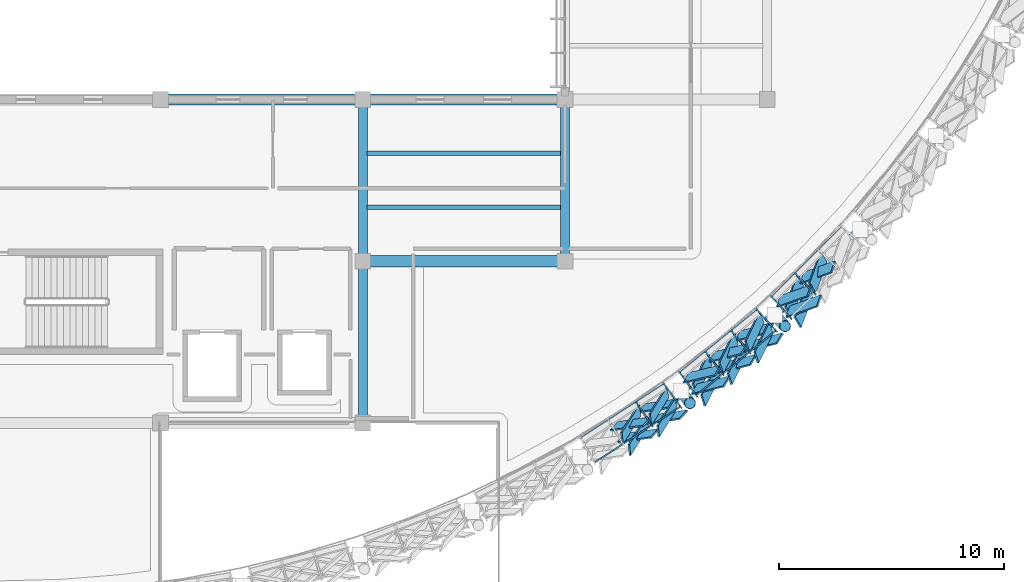
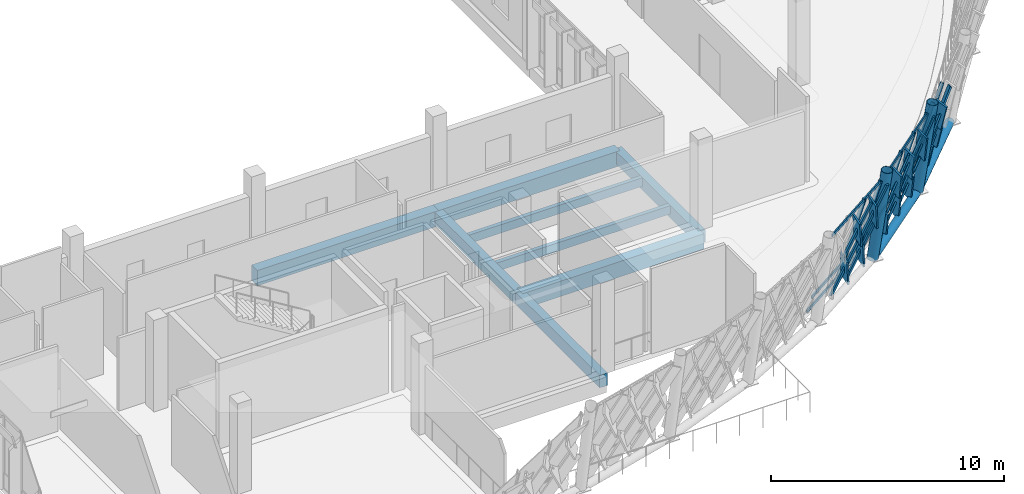
# One storey, part 86 of 177: 44 members, 10 beams, 3 elements without a shape of their own.
"""IFC4 building model written with IfcOpenShell, lengths in metres."""

from ifc_helpers import new_model, si_unit, direction, frame, origin, origin_2d, place, context, subcontext, project, spatial, rectangle, hollow_rectangle, hollow_circle, extrude, material, material_profile, profile_set, type_object, element, aggregate, save


model = new_model("IFC4")

# Units and contexts
model_context = context("Model", 3, precision=1e-05, world=origin(), true_north=direction((0.0, 1.0)))
body_context = subcontext(model_context, "Body", "Model", "MODEL_VIEW")
ifc_project = project(units=[si_unit("LENGTHUNIT", "METRE"), si_unit("AREAUNIT", "SQUARE_METRE"), si_unit("VOLUMEUNIT", "CUBIC_METRE"), si_unit("PLANEANGLEUNIT", "RADIAN"), si_unit("MASSUNIT", "GRAM", prefix="KILO")], contexts=[model_context])

# Site, building, storey
site_placement = place(None, origin())
site = spatial("IfcSite", under=ifc_project, at=site_placement, CompositionType="ELEMENT")
building_placement = place(site_placement, origin())
building = spatial("IfcBuilding", under=site, at=building_placement, Name="Chiffa Square Polytechnic", CompositionType="ELEMENT")
storey_placement = place(building_placement, frame((0.0, 0.0, 4.800048828125)))
storey = spatial("IfcBuildingStorey", under=building, at=storey_placement, Name="L01", CompositionType="ELEMENT", Elevation=4.800048828125)

# Beams
ifc_material_1 = material(Name="Concrete C35/45", Category="concrete")
ifc_material_profile_1 = material_profile(ifc_material_1, rectangle(XDim=0.39990234375, YDim=0.64990234375, at=origin_2d()), Name="RC 400x650")
ifc_profile_set_1 = profile_set([ifc_material_profile_1], Name="Concrete C35/45")
beam_type_1 = type_object("IfcBeamType", Name="BM-RC-400X650", PredefinedType="BEAM", material=ifc_profile_set_1)
beam_1_placement = place(storey_placement, frame((139.199951171875, 14.39990234375, -0.60498046875), z_axis=(0.0, 1.0, 0.0), x_axis=(-1.0, 0.0, 0.0)))
element("IfcBeam", 1, at=beam_1_placement, inside=storey, type_object=beam_type_1, Name="Primary floor girder BM-V1-L01-Y-1392-0144", PredefinedType="BEAM", context=body_context, shape_type="SweptSolid", body=[
    extrude(rectangle(XDim=0.39990234375, YDim=0.64990234375, at=origin_2d()), origin(), (0.0, 0.0, 1.0), 7.2001953125),
])
for number, where, z_axis, x_axis, name in (
    (2, (139.199951171875, 21.60009765625, -0.60498046875), (0.0, 1.0, 0.0), (-1.0, 0.0, 0.0), "Primary floor girder BM-V1-L01-Y-1392-0216"),
    (3, (148.199951171875, 21.60009765625, -0.60498046875), (0.0, 1.0, 0.0), (-1.0, 0.0, 0.0), "Primary floor girder BM-V1-L01-Y-1482-0216"),
):
    element("IfcBeam", number, at=place(storey_placement, frame(where, z_axis=z_axis, x_axis=x_axis)), inside=storey, type_object=beam_type_1, Name=name, PredefinedType="BEAM", context=body_context, shape_type="SweptSolid", body=[
        extrude(rectangle(XDim=0.39990234375, YDim=0.64990234375, at=origin_2d()), origin(), (0.0, 0.0, 1.0), 7.199951171875),
    ])
ifc_material_2 = material(Name="Concrete C40/50", Category="concrete")
ifc_material_profile_2 = material_profile(ifc_material_2, rectangle(XDim=0.5, YDim=0.800048828125, at=origin_2d()), Name="RC 500x800")
ifc_profile_set_2 = profile_set([ifc_material_profile_2], Name="Concrete C40/50")
beam_type_2 = type_object("IfcBeamType", Name="BM-RC-500X800", PredefinedType="BEAM", material=ifc_profile_set_2)
for number, where, z_axis, x_axis, name in (
    (4, (139.199951171875, 21.60009765625, -0.679931640625), (1.0, 0.0, 0.0), (0.0, 1.0, 0.0), "Primary floor girder BM-V1-L01-X-1392-0216"),
    (5, (130.199951171875, 28.800048828125, -0.679931640625), (1.0, 0.0, 0.0), (0.0, 1.0, 0.0), "Primary floor girder BM-V1-L01-X-1302-0288"),
    (6, (139.199951171875, 28.800048828125, -0.679931640625), (1.0, 0.0, 0.0), (0.0, 1.0, 0.0), "Primary floor girder BM-V1-L01-X-1392-0288"),
):
    element("IfcBeam", number, at=place(storey_placement, frame(where, z_axis=z_axis, x_axis=x_axis)), inside=storey, type_object=beam_type_2, Name=name, PredefinedType="BEAM", context=body_context, shape_type="SweptSolid", body=[
        extrude(rectangle(XDim=0.5, YDim=0.800048828125, at=origin_2d()), origin(), (0.0, 0.0, 1.0), 9.0),
    ])
ifc_material_3 = material(Name="Steel S355", Category="steel")
ifc_material_profile_3 = material_profile(ifc_material_3, hollow_circle(Radius=0.203125, WallThickness=0.012451171875, at=origin_2d()), Name="CHS 406.4x12.5")
ifc_profile_set_3 = profile_set([ifc_material_profile_3], Name="Steel S355")
beam_type_3 = type_object("IfcBeamType", Name="BM-STL-CHS406", PredefinedType="BEAM", material=ifc_profile_set_3)
beam_2_placement = place(storey_placement, frame((153.365966796875, 15.8310546875, 0.0), z_axis=(0.777165471758, 0.629296297071, 0.0), x_axis=(-0.629296297071, 0.777165471758, 0.0)))
element("IfcBeam", 7, at=beam_2_placement, inside=storey, type_object=beam_type_3, Name="Prow V-column ring tie BM-V1-VRING-L01-09", PredefinedType="BEAM", context=body_context, shape_type="SweptSolid", body=[
    extrude(hollow_circle(Radius=0.203125, WallThickness=0.012451171875, at=origin_2d()), origin(), (0.0, 0.0, 1.0), 5.370849609375),
])
beam_3_placement = place(storey_placement, frame((157.5400390625, 19.2109375, 0.0), z_axis=(0.707106781187, 0.707106781187, 0.0), x_axis=(-0.707106781187, 0.707106781187, 0.0)))
element("IfcBeam", 8, at=beam_3_placement, inside=storey, type_object=beam_type_3, Name="Prow V-column ring tie BM-V1-VRING-L01-10", PredefinedType="BEAM", context=body_context, shape_type="SweptSolid", body=[
    extrude(hollow_circle(Radius=0.203125, WallThickness=0.012451171875, at=origin_2d()), origin(), (0.0, 0.0, 1.0), 5.372802734375),
])

# Members
ifc_material_profile_4 = material_profile(ifc_material_3, hollow_circle(Radius=0.25390625, WallThickness=0.01611328125, at=origin_2d()), Name="CHS 508x16")
ifc_profile_set_4 = profile_set([ifc_material_profile_4], Name="Steel S355")
member_type_1 = type_object("IfcMemberType", Name="COL-VSTRUT-508", PredefinedType="STRUT", material=ifc_profile_set_4)
for number, where, z_axis, x_axis, name in (
    (9, (153.365966796875, 15.8310546875, 0.0), (0.082288316187, -0.113461185049, 0.990128876716), (0.809512252688, 0.587102983086, 0.0), "Prow steel V-strut CV-V1-L01-05L"),
    (10, (157.5400390625, 19.2109375, 0.0), (0.093870513292, -0.104143895648, 0.99012240442), (0.742793858275, 0.669520189471, 0.0), "Prow steel V-strut CV-V1-L01-05R"),
):
    element("IfcMember", number, at=place(storey_placement, frame(where, z_axis=z_axis, x_axis=x_axis)), inside=storey, type_object=member_type_1, Name=name, PredefinedType="STRUT", context=body_context, shape_type="SweptSolid", body=[
        extrude(hollow_circle(Radius=0.25390625, WallThickness=0.01611328125, at=origin_2d()), origin(), (0.0, 0.0, 1.0), 4.847900390625),
    ])

# Curtain wall, members
ifc_material_4 = material(Name="Aluminium EN AW-6060 T66 and glulam shading", Category="wood")
curtain_wall_type_1 = type_object("IfcCurtainWallType", Name="CW-PROW-LEAN-300", PredefinedType="USERDEFINED", material=ifc_material_4)
curtain_wall_1_placement = place(storey_placement, origin())
curtain_wall_1 = element("IfcCurtainWall", 11, at=curtain_wall_1_placement, inside=storey, type_object=curtain_wall_type_1, Name="Outward-leaning diamond-fin prow curtain wall CW-V1-L01-017", ObjectType="CURTAIN WALL", PredefinedType="USERDEFINED")
ifc_material_5 = material(Name="Aluminium EN AW-6060 T66", Category="aluminium")
ifc_material_profile_5 = material_profile(ifc_material_5, hollow_rectangle(XDim=0.06494140625, YDim=0.179931640625, WallThickness=0.00390625, at=origin_2d()), Name="ALU 65x180x4")
ifc_profile_set_5 = profile_set([ifc_material_profile_5], Name="Aluminium EN AW-6060 T66")
member_type_2 = type_object("IfcMemberType", Name="CWM-ALU-75X180", PredefinedType="MULLION", material=ifc_profile_set_5)
member_1_placement = place(storey_placement, frame((151.364013671875, 15.339599609375, 0.0), z_axis=(0.152233862193, -0.22549280311, 0.962277427225), x_axis=(0.82880398171, 0.55953906021, 0.0)))
member_1 = element("IfcMember", 12, at=member_1_placement, type_object=member_type_2, Name="Leaning prow mullion CW-V1-L01-017-M02", PredefinedType="MULLION", context=body_context, shape_type="SweptSolid", body=[
    extrude(hollow_rectangle(XDim=0.06494140625, YDim=0.179931640625, WallThickness=0.00390625, at=origin_2d()), origin(), (0.0, 0.0, 1.0), 4.655517578125),
])
member_2_placement = place(storey_placement, frame((152.60498046875, 16.14599609375, 0.0), z_axis=(0.160239909146, -0.220329875075, 0.962173538228), x_axis=(0.808736084303, 0.588171697675, 0.0)))
member_2 = element("IfcMember", 13, at=member_2_placement, type_object=member_type_2, Name="Leaning prow mullion CW-V1-L01-017-M03", PredefinedType="MULLION", context=body_context, shape_type="SweptSolid", body=[
    extrude(hollow_rectangle(XDim=0.06494140625, YDim=0.179931640625, WallThickness=0.00390625, at=origin_2d()), origin(), (0.0, 0.0, 1.0), 4.656005859375),
])

curtain_wall_type_2 = type_object("IfcCurtainWallType", Name="CW-PROW-LEAN-150", PredefinedType="USERDEFINED", material=ifc_material_4)
curtain_wall_2_placement = place(storey_placement, origin())
curtain_wall_2 = element("IfcCurtainWall", 14, at=curtain_wall_2_placement, inside=storey, type_object=curtain_wall_type_2, Name="Outward-leaning diamond-fin prow curtain wall CW-V1-L01-018", ObjectType="CURTAIN WALL", PredefinedType="USERDEFINED")
member_3_placement = place(storey_placement, frame((153.300048828125, 16.65087890625, 0.0), z_axis=(0.160188820329, -0.22033172603, 0.962181621289), x_axis=(0.808827635578, 0.588045794072, 0.0)))
member_3 = element("IfcMember", 15, at=member_3_placement, type_object=member_type_2, Name="Leaning prow mullion CW-V1-L01-018-M00", PredefinedType="MULLION", context=body_context, shape_type="SweptSolid", body=[
    extrude(hollow_rectangle(XDim=0.06494140625, YDim=0.179931640625, WallThickness=0.00390625, at=origin_2d()), origin(), (0.0, 0.0, 1.0), 4.656005859375),
])
member_4_placement = place(storey_placement, frame((154.45068359375, 17.582275390625, 0.0), z_axis=(0.167545853049, -0.214374787877, 0.962274304681), x_axis=(0.787907478587, 0.615793638475, 0.0)))
member_4 = element("IfcMember", 16, at=member_4_placement, type_object=member_type_2, Name="Leaning prow mullion CW-V1-L01-018-M01", PredefinedType="MULLION", context=body_context, shape_type="SweptSolid", body=[
    extrude(hollow_rectangle(XDim=0.06494140625, YDim=0.179931640625, WallThickness=0.00390625, at=origin_2d()), origin(), (0.0, 0.0, 1.0), 4.655517578125),
])
member_5_placement = place(storey_placement, frame((155.601318359375, 18.513671875, 0.0), z_axis=(0.174839699387, -0.208349767746, 0.962300085108), x_axis=(0.766020027639, 0.642816705801, 0.0)))
member_5 = element("IfcMember", 17, at=member_5_placement, type_object=member_type_2, Name="Leaning prow mullion CW-V1-L01-018-M02", PredefinedType="MULLION", context=body_context, shape_type="SweptSolid", body=[
    extrude(hollow_rectangle(XDim=0.06494140625, YDim=0.179931640625, WallThickness=0.00390625, at=origin_2d()), origin(), (0.0, 0.0, 1.0), 4.655517578125),
])
member_6_placement = place(storey_placement, frame((156.751953125, 19.445068359375, 0.0), z_axis=(0.182166401605, -0.202354675818, 0.962220342386), x_axis=(0.743207953029, 0.669060489459, 0.0)))
member_6 = element("IfcMember", 18, at=member_6_placement, type_object=member_type_2, Name="Leaning prow mullion CW-V1-L01-018-M03", PredefinedType="MULLION", context=body_context, shape_type="SweptSolid", body=[
    extrude(hollow_rectangle(XDim=0.06494140625, YDim=0.179931640625, WallThickness=0.00390625, at=origin_2d()), origin(), (0.0, 0.0, 1.0), 4.65576171875),
])

curtain_wall_3_placement = place(storey_placement, origin())
curtain_wall_3 = element("IfcCurtainWall", 19, at=curtain_wall_3_placement, inside=storey, type_object=curtain_wall_type_1, Name="Outward-leaning diamond-fin prow curtain wall CW-V1-L01-019", ObjectType="CURTAIN WALL", PredefinedType="USERDEFINED")
member_7_placement = place(storey_placement, frame((157.389892578125, 20.02001953125, 0.0), z_axis=(0.182166401605, -0.202354675818, 0.962220342386), x_axis=(0.743207953029, 0.669060489459, 0.0)))
member_7 = element("IfcMember", 20, at=member_7_placement, type_object=member_type_2, Name="Leaning prow mullion CW-V1-L01-019-M00", PredefinedType="MULLION", context=body_context, shape_type="SweptSolid", body=[
    extrude(hollow_rectangle(XDim=0.06494140625, YDim=0.179931640625, WallThickness=0.00390625, at=origin_2d()), origin(), (0.0, 0.0, 1.0), 4.65576171875),
])
member_8_placement = place(storey_placement, frame((158.436767578125, 21.066650390625, 0.0), z_axis=(0.18884680027, -0.195611931409, 0.962326793931), x_axis=(0.719438017577, 0.69455664914, 0.0)))
member_8 = element("IfcMember", 21, at=member_8_placement, type_object=member_type_2, Name="Leaning prow mullion CW-V1-L01-019-M01", PredefinedType="MULLION", context=body_context, shape_type="SweptSolid", body=[
    extrude(hollow_rectangle(XDim=0.06494140625, YDim=0.179931640625, WallThickness=0.00390625, at=origin_2d()), origin(), (0.0, 0.0, 1.0), 4.6552734375),
])

# Member
ifc_material_6 = material(Name="Glulam GL28h", Category="wood")
ifc_material_profile_6 = material_profile(ifc_material_6, rectangle(XDim=0.080078125, YDim=0.580078125, at=origin_2d()), Name="GL28h 80x580")
ifc_profile_set_6 = profile_set([ifc_material_profile_6], Name="Glulam GL28h")
member_type_3 = type_object("IfcMemberType", Name="CWM-GL-80X580", PredefinedType="MULLION", material=ifc_profile_set_6)
member_9_placement = place(storey_placement, frame((150.402099609375, 14.25390625, 0.0400390625), z_axis=(0.548970104616, 0.076114986741, 0.832369108648), x_axis=(-0.56422530594, 0.768463351959, 0.301850759204)))
member_9 = element("IfcMember", 22, at=member_9_placement, type_object=member_type_3, Name="Diamond glulam fin CW-V1-L01-017-DF03A", PredefinedType="MULLION", context=body_context, shape_type="SweptSolid", body=[
    extrude(rectangle(XDim=0.080078125, YDim=0.580078125, at=origin_2d()), origin(), (0.0, 0.0, 1.0), 2.64306640625),
])

member_10_placement = place(storey_placement, frame((151.506103515625, 14.970947265625, 0.0400390625), z_axis=(-0.292893333485, -0.470605971021, 0.832312150121), x_axis=(0.951556738089, -0.058290371453, 0.301897344793)))
member_10 = element("IfcMember", 23, at=member_10_placement, type_object=member_type_3, Name="Diamond glulam fin CW-V1-L01-017-DF03B", PredefinedType="MULLION", context=body_context, shape_type="SweptSolid", body=[
    extrude(rectangle(XDim=0.080078125, YDim=0.580078125, at=origin_2d()), origin(), (0.0, 0.0, 1.0), 2.64306640625),
])

member_11_placement = place(storey_placement, frame((150.73193359375, 13.72705078125, 2.239990234375), z_axis=(0.553289045785, 0.079869431522, 0.829151437147), x_axis=(-0.566778771296, 0.765546917697, 0.304466321967)))
member_11 = element("IfcMember", 24, at=member_11_placement, type_object=member_type_3, Name="Diamond glulam fin CW-V1-L01-017-DF04A", PredefinedType="MULLION", context=body_context, shape_type="SweptSolid", body=[
    extrude(rectangle(XDim=0.080078125, YDim=0.580078125, at=origin_2d()), origin(), (0.0, 0.0, 1.0), 2.6533203125),
])

member_12_placement = place(storey_placement, frame((151.85302734375, 14.455078125, 2.239990234375), z_axis=(-0.297772179307, -0.473067606247, 0.829179575937), x_axis=(0.95033928481, -0.064570460629, 0.304443589785)))
member_12 = element("IfcMember", 25, at=member_12_placement, type_object=member_type_3, Name="Diamond glulam fin CW-V1-L01-017-DF04B", PredefinedType="MULLION", context=body_context, shape_type="SweptSolid", body=[
    extrude(rectangle(XDim=0.080078125, YDim=0.580078125, at=origin_2d()), origin(), (0.0, 0.0, 1.0), 2.653076171875),
])

member_13_placement = place(storey_placement, frame((151.64306640625, 15.06005859375, 0.0400390625), z_axis=(0.553766828448, 0.080567969062, 0.82876480504), x_axis=(-0.567422472221, 0.764945654814, 0.30477841656)))
member_13 = element("IfcMember", 26, at=member_13_placement, type_object=member_type_3, Name="Diamond glulam fin CW-V1-L01-017-DF05A", PredefinedType="MULLION", context=body_context, shape_type="SweptSolid", body=[
    extrude(rectangle(XDim=0.080078125, YDim=0.580078125, at=origin_2d()), origin(), (0.0, 0.0, 1.0), 2.654541015625),
])

member_14_placement = place(storey_placement, frame((152.748046875, 15.778076171875, 0.0400390625), z_axis=(-0.287175488948, -0.468364027987, 0.835562909561), x_axis=(0.952850330572, -0.050423569329, 0.299221842759)))
member_14 = element("IfcMember", 27, at=member_14_placement, type_object=member_type_3, Name="Diamond glulam fin CW-V1-L01-017-DF05B", PredefinedType="MULLION", context=body_context, shape_type="SweptSolid", body=[
    extrude(rectangle(XDim=0.080078125, YDim=0.580078125, at=origin_2d()), origin(), (0.0, 0.0, 1.0), 2.6328125),
])

member_15_placement = place(storey_placement, frame((151.991943359375, 14.544921875, 2.239990234375), z_axis=(0.557777835321, 0.084120264962, 0.825716457052), x_axis=(-0.569756989425, 0.762227687324, 0.307222925054)))
member_15 = element("IfcMember", 28, at=member_15_placement, type_object=member_type_3, Name="Diamond glulam fin CW-V1-L01-017-DF06A", PredefinedType="MULLION", context=body_context, shape_type="SweptSolid", body=[
    extrude(rectangle(XDim=0.080078125, YDim=0.580078125, at=origin_2d()), origin(), (0.0, 0.0, 1.0), 2.664306640625),
])

member_16_placement = place(storey_placement, frame((153.113037109375, 15.27392578125, 2.239990234375), z_axis=(-0.292133073941, -0.470720433816, 0.83251458864), x_axis=(0.95168838169, -0.056984117719, 0.301731726015)))
member_16 = element("IfcMember", 29, at=member_16_placement, type_object=member_type_3, Name="Diamond glulam fin CW-V1-L01-017-DF06B", PredefinedType="MULLION", context=body_context, shape_type="SweptSolid", body=[
    extrude(rectangle(XDim=0.080078125, YDim=0.580078125, at=origin_2d()), origin(), (0.0, 0.0, 1.0), 2.642578125),
])

member_17_placement = place(storey_placement, frame((153.60595703125, 16.402099609375, 0.0400390625), z_axis=(0.53406633829, 0.128346555338, 0.835643648955), x_axis=(-0.692922431097, 0.632749638513, 0.345668048051)))
member_17 = element("IfcMember", 30, at=member_17_placement, type_object=member_type_3, Name="Diamond glulam fin CW-V1-L01-018-DF01A", PredefinedType="MULLION", context=body_context, shape_type="SweptSolid", body=[
    extrude(rectangle(XDim=0.080078125, YDim=0.580078125, at=origin_2d()), origin(), (0.0, 0.0, 1.0), 2.632568359375),
])

member_18_placement = place(storey_placement, frame((154.6298828125, 17.23095703125, 0.0400390625), z_axis=(-0.247509066244, -0.501824401867, 0.828801261955), x_axis=(0.927697931071, 0.124014882145, 0.352131875429)))
member_18 = element("IfcMember", 31, at=member_18_placement, type_object=member_type_3, Name="Diamond glulam fin CW-V1-L01-018-DF01B", PredefinedType="MULLION", context=body_context, shape_type="SweptSolid", body=[
    extrude(rectangle(XDim=0.080078125, YDim=0.580078125, at=origin_2d()), origin(), (0.0, 0.0, 1.0), 2.654296875),
])

member_19_placement = place(storey_placement, frame((153.972900390625, 15.89892578125, 2.239990234375), z_axis=(0.538095956424, 0.132468601118, 0.832409040916), x_axis=(-0.69443643072, 0.629392396951, 0.348745257099)))
member_19 = element("IfcMember", 32, at=member_19_placement, type_object=member_type_3, Name="Diamond glulam fin CW-V1-L01-018-DF02A", PredefinedType="MULLION", context=body_context, shape_type="SweptSolid", body=[
    extrude(rectangle(XDim=0.080078125, YDim=0.580078125, at=origin_2d()), origin(), (0.0, 0.0, 1.0), 2.642822265625),
])

member_20_placement = place(storey_placement, frame((155.011962890625, 16.739990234375, 2.239990234375), z_axis=(-0.252147577595, -0.504753272155, 0.825618394515), x_axis=(0.927420436057, 0.117511652159, 0.355080760379)))
member_20 = element("IfcMember", 33, at=member_20_placement, type_object=member_type_3, Name="Diamond glulam fin CW-V1-L01-018-DF02B", PredefinedType="MULLION", context=body_context, shape_type="SweptSolid", body=[
    extrude(rectangle(XDim=0.080078125, YDim=0.580078125, at=origin_2d()), origin(), (0.0, 0.0, 1.0), 2.66455078125),
])

member_21_placement = place(storey_placement, frame((154.757080078125, 17.3330078125, 0.0400390625), z_axis=(0.538239980453, 0.133174682878, 0.832203236765), x_axis=(-0.695049399886, 0.628607507855, 0.34893972658)))
member_21 = element("IfcMember", 34, at=member_21_placement, type_object=member_type_3, Name="Diamond glulam fin CW-V1-L01-018-DF03A", PredefinedType="MULLION", context=body_context, shape_type="SweptSolid", body=[
    extrude(rectangle(XDim=0.080078125, YDim=0.580078125, at=origin_2d()), origin(), (0.0, 0.0, 1.0), 2.6435546875),
])

member_22_placement = place(storey_placement, frame((155.781005859375, 18.162109375, 0.0400390625), z_axis=(-0.242087178311, -0.498675572569, 0.832295903763), x_axis=(0.927863961551, 0.131797661432, 0.348852182587)))
member_22 = element("IfcMember", 35, at=member_22_placement, type_object=member_type_3, Name="Diamond glulam fin CW-V1-L01-018-DF03B", PredefinedType="MULLION", context=body_context, shape_type="SweptSolid", body=[
    extrude(rectangle(XDim=0.080078125, YDim=0.580078125, at=origin_2d()), origin(), (0.0, 0.0, 1.0), 2.643310546875),
])

member_23_placement = place(storey_placement, frame((155.14111328125, 16.843994140625, 2.239990234375), z_axis=(0.541958321854, 0.137191826466, 0.829131823128), x_axis=(-0.696546066849, 0.625334926573, 0.351823544359)))
member_23 = element("IfcMember", 36, at=member_23_placement, type_object=member_type_3, Name="Diamond glulam fin CW-V1-L01-018-DF04A", PredefinedType="MULLION", context=body_context, shape_type="SweptSolid", body=[
    extrude(rectangle(XDim=0.080078125, YDim=0.580078125, at=origin_2d()), origin(), (0.0, 0.0, 1.0), 2.6533203125),
])

member_24_placement = place(storey_placement, frame((156.179931640625, 17.68505859375, 2.239990234375), z_axis=(-0.246909295324, -0.501364830758, 0.829258166292), x_axis=(0.927750548182, 0.124828264525, 0.351705593819)))
member_24 = element("IfcMember", 37, at=member_24_placement, type_object=member_type_3, Name="Diamond glulam fin CW-V1-L01-018-DF04B", PredefinedType="MULLION", context=body_context, shape_type="SweptSolid", body=[
    extrude(rectangle(XDim=0.080078125, YDim=0.580078125, at=origin_2d()), origin(), (0.0, 0.0, 1.0), 2.65283203125),
])

member_25_placement = place(storey_placement, frame((155.907958984375, 18.264892578125, 0.0400390625), z_axis=(0.542416151149, 0.137949173741, 0.828706669719), x_axis=(-0.696981113831, 0.624626588086, 0.352220034097)))
member_25 = element("IfcMember", 38, at=member_25_placement, type_object=member_type_3, Name="Diamond glulam fin CW-V1-L01-018-DF05A", PredefinedType="MULLION", context=body_context, shape_type="SweptSolid", body=[
    extrude(rectangle(XDim=0.080078125, YDim=0.580078125, at=origin_2d()), origin(), (0.0, 0.0, 1.0), 2.65478515625),
])

member_26_placement = place(storey_placement, frame((156.931884765625, 19.093994140625, 0.0400390625), z_axis=(-0.236574405282, -0.495684122397, 0.835661295962), x_axis=(0.927879136058, 0.13987705375, 0.345651151745)))
member_26 = element("IfcMember", 39, at=member_26_placement, type_object=member_type_3, Name="Diamond glulam fin CW-V1-L01-018-DF05B", PredefinedType="MULLION", context=body_context, shape_type="SweptSolid", body=[
    extrude(rectangle(XDim=0.080078125, YDim=0.580078125, at=origin_2d()), origin(), (0.0, 0.0, 1.0), 2.632568359375),
])

member_27_placement = place(storey_placement, frame((156.30908203125, 17.7890625, 2.239990234375), z_axis=(0.545764523238, 0.141871281608, 0.825841161864), x_axis=(-0.698522348348, 0.621393501458, 0.354875534808)))
member_27 = element("IfcMember", 40, at=member_27_placement, type_object=member_type_3, Name="Diamond glulam fin CW-V1-L01-018-DF06A", PredefinedType="MULLION", context=body_context, shape_type="SweptSolid", body=[
    extrude(rectangle(XDim=0.080078125, YDim=0.580078125, at=origin_2d()), origin(), (0.0, 0.0, 1.0), 2.663818359375),
])

member_28_placement = place(storey_placement, frame((157.347900390625, 18.631103515625, 2.239990234375), z_axis=(-0.241783868161, -0.498442479454, 0.832523666795), x_axis=(0.927885778519, 0.132213125188, 0.348636876348)))
member_28 = element("IfcMember", 41, at=member_28_placement, type_object=member_type_3, Name="Diamond glulam fin CW-V1-L01-018-DF06B", PredefinedType="MULLION", context=body_context, shape_type="SweptSolid", body=[
    extrude(rectangle(XDim=0.080078125, YDim=0.580078125, at=origin_2d()), origin(), (0.0, 0.0, 1.0), 2.642578125),
])

member_29_placement = place(storey_placement, frame((157.719970703125, 19.803955078125, 0.0400390625), z_axis=(0.517698864257, 0.183879070002, 0.835569490564), x_axis=(-0.793428810137, 0.468571136568, 0.388473696946)))
member_29 = element("IfcMember", 42, at=member_29_placement, type_object=member_type_3, Name="Diamond glulam fin CW-V1-L01-019-DF01A", PredefinedType="MULLION", context=body_context, shape_type="SweptSolid", body=[
    extrude(rectangle(XDim=0.080078125, YDim=0.580078125, at=origin_2d()), origin(), (0.0, 0.0, 1.0), 2.6328125),
])

member_30_placement = place(storey_placement, frame((158.652099609375, 20.736083984375, 0.0400390625), z_axis=(-0.193678238514, -0.525120010406, 0.828696394705), x_axis=(0.866193101526, 0.305087476254, 0.395766525494)))
member_30 = element("IfcMember", 43, at=member_30_placement, type_object=member_type_3, Name="Diamond glulam fin CW-V1-L01-019-DF01B", PredefinedType="MULLION", context=body_context, shape_type="SweptSolid", body=[
    extrude(rectangle(XDim=0.080078125, YDim=0.580078125, at=origin_2d()), origin(), (0.0, 0.0, 1.0), 2.65478515625),
])

member_31_placement = place(storey_placement, frame((158.137939453125, 19.342041015625, 2.239990234375), z_axis=(0.520772010064, 0.188498030612, 0.832625369533), x_axis=(-0.794269236617, 0.464509292435, 0.391621624793)))
member_31 = element("IfcMember", 44, at=member_31_placement, type_object=member_type_3, Name="Diamond glulam fin CW-V1-L01-019-DF02A", PredefinedType="MULLION", context=body_context, shape_type="SweptSolid", body=[
    extrude(rectangle(XDim=0.080078125, YDim=0.580078125, at=origin_2d()), origin(), (0.0, 0.0, 1.0), 2.64208984375),
])

member_32_placement = place(storey_placement, frame((159.0830078125, 20.2880859375, 2.239990234375), z_axis=(-0.198207896383, -0.528096212138, 0.825728781463), x_axis=(0.867183188458, 0.298173318598, 0.398855850818)))
member_32 = element("IfcMember", 45, at=member_32_placement, type_object=member_type_3, Name="Diamond glulam fin CW-V1-L01-019-DF02B", PredefinedType="MULLION", context=body_context, shape_type="SweptSolid", body=[
    extrude(rectangle(XDim=0.080078125, YDim=0.580078125, at=origin_2d()), origin(), (0.0, 0.0, 1.0), 2.664306640625),
])

member_33_placement = place(storey_placement, frame((158.76708984375, 20.85107421875, 0.0400390625), z_axis=(0.521274107895, 0.188781764092, 0.832246808335), x_axis=(-0.794097892863, 0.464463035712, 0.392023755668)))
member_33 = element("IfcMember", 46, at=member_33_placement, type_object=member_type_3, Name="Diamond glulam fin CW-V1-L01-019-DF03A", PredefinedType="MULLION", context=body_context, shape_type="SweptSolid", body=[
    extrude(rectangle(XDim=0.080078125, YDim=0.580078125, at=origin_2d()), origin(), (0.0, 0.0, 1.0), 2.643310546875),
])

member_34_placement = place(storey_placement, frame((159.698974609375, 21.782958984375, 0.0400390625), z_axis=(-0.188781764092, -0.521274107895, 0.832246808335), x_axis=(0.86523727035, 0.3125409429, 0.392023755668)))
member_34 = element("IfcMember", 47, at=member_34_placement, type_object=member_type_3, Name="Diamond glulam fin CW-V1-L01-019-DF03B", PredefinedType="MULLION", context=body_context, shape_type="SweptSolid", body=[
    extrude(rectangle(XDim=0.080078125, YDim=0.580078125, at=origin_2d()), origin(), (0.0, 0.0, 1.0), 2.643310546875),
])

ifc_material_profile_7 = material_profile(ifc_material_5, hollow_rectangle(XDim=0.06494140625, YDim=0.139892578125, WallThickness=0.00390625, at=origin_2d()), Name="ALU 65x140x4")
ifc_profile_set_7 = profile_set([ifc_material_profile_7], Name="Aluminium EN AW-6060 T66")
member_type_4 = type_object("IfcMemberType", Name="CWT-ALU-75X140", PredefinedType="USERDEFINED", material=ifc_profile_set_7)
member_35_placement = place(storey_placement, frame((148.8876953125, 13.71728515625, 0.0400390625), z_axis=(0.838571704518, 0.544791241102, 0.0), x_axis=(-0.544791241102, 0.838571704518, 0.0)))
member_35 = element("IfcMember", 48, at=member_35_placement, type_object=member_type_4, Name="Leaning prow transom CW-V1-L01-017-T01", ObjectType="TRANSOM", PredefinedType="USERDEFINED", context=body_context, shape_type="SweptSolid", body=[
    extrude(hollow_rectangle(XDim=0.06494140625, YDim=0.139892578125, WallThickness=0.00390625, at=origin_2d()), origin(), (0.0, 0.0, 1.0), 4.44091796875),
])

member_36_placement = place(storey_placement, frame((149.002197265625, 13.518798828125, 0.849853515625), z_axis=(0.83856976242, 0.544794230472, 0.0), x_axis=(-0.544794230472, 0.83856976242, 0.0)))
member_36 = element("IfcMember", 49, at=member_36_placement, type_object=member_type_4, Name="Leaning prow transom CW-V1-L01-017-T02", ObjectType="TRANSOM", PredefinedType="USERDEFINED", context=body_context, shape_type="SweptSolid", body=[
    extrude(hollow_rectangle(XDim=0.06494140625, YDim=0.139892578125, WallThickness=0.00390625, at=origin_2d()), origin(), (0.0, 0.0, 1.0), 4.465087890625),
])

member_37_placement = place(storey_placement, frame((149.51025390625, 12.638916015625, 4.43994140625), z_axis=(0.838629020932, 0.544703006464, 0.0), x_axis=(-0.544703006464, 0.838629020932, 0.0)))
member_37 = element("IfcMember", 50, at=member_37_placement, type_object=member_type_4, Name="Leaning prow transom CW-V1-L01-017-T03", ObjectType="TRANSOM", PredefinedType="USERDEFINED", context=body_context, shape_type="SweptSolid", body=[
    extrude(hollow_rectangle(XDim=0.06494140625, YDim=0.139892578125, WallThickness=0.00390625, at=origin_2d()), origin(), (0.0, 0.0, 1.0), 4.57177734375),
])

aggregate(curtain_wall_1, [member_1, member_2, member_35, member_36, member_37, member_9, member_10, member_11, member_12, member_13, member_14, member_15, member_16])

member_38_placement = place(storey_placement, frame((153.306640625, 16.641845703125, 0.0400390625), z_axis=(0.77730118291, 0.629128660169, 0.0), x_axis=(-0.629128660169, 0.77730118291, 0.0)))
member_38 = element("IfcMember", 51, at=member_38_placement, type_object=member_type_4, Name="Leaning prow transom CW-V1-L01-018-T01", ObjectType="TRANSOM", PredefinedType="USERDEFINED", context=body_context, shape_type="SweptSolid", body=[
    extrude(hollow_rectangle(XDim=0.06494140625, YDim=0.139892578125, WallThickness=0.00390625, at=origin_2d()), origin(), (0.0, 0.0, 1.0), 4.442138671875),
])

member_39_placement = place(storey_placement, frame((153.44140625, 16.456298828125, 0.849853515625), z_axis=(0.777261419275, 0.62917778577, 0.0), x_axis=(-0.62917778577, 0.777261419275, 0.0)))
member_39 = element("IfcMember", 52, at=member_39_placement, type_object=member_type_4, Name="Leaning prow transom CW-V1-L01-018-T02", ObjectType="TRANSOM", PredefinedType="USERDEFINED", context=body_context, shape_type="SweptSolid", body=[
    extrude(hollow_rectangle(XDim=0.06494140625, YDim=0.139892578125, WallThickness=0.00390625, at=origin_2d()), origin(), (0.0, 0.0, 1.0), 4.46630859375),
])

member_40_placement = place(storey_placement, frame((154.039306640625, 15.63427734375, 4.43994140625), z_axis=(0.777140399447, 0.629327259498, 0.0), x_axis=(-0.629327259498, 0.777140399447, 0.0)))
member_40 = element("IfcMember", 53, at=member_40_placement, type_object=member_type_4, Name="Leaning prow transom CW-V1-L01-018-T03", ObjectType="TRANSOM", PredefinedType="USERDEFINED", context=body_context, shape_type="SweptSolid", body=[
    extrude(hollow_rectangle(XDim=0.06494140625, YDim=0.139892578125, WallThickness=0.00390625, at=origin_2d()), origin(), (0.0, 0.0, 1.0), 4.57177734375),
])

aggregate(curtain_wall_2, [member_3, member_4, member_5, member_6, member_38, member_39, member_40, member_17, member_18, member_19, member_20, member_21, member_22, member_23, member_24, member_25, member_26, member_27, member_28])

member_41_placement = place(storey_placement, frame((157.397705078125, 20.01171875, 0.0400390625), z_axis=(0.707106781187, 0.707106781187, 0.0), x_axis=(-0.707106781187, 0.707106781187, 0.0)))
member_41 = element("IfcMember", 54, at=member_41_placement, type_object=member_type_4, Name="Leaning prow transom CW-V1-L01-019-T01", ObjectType="TRANSOM", PredefinedType="USERDEFINED", context=body_context, shape_type="SweptSolid", body=[
    extrude(hollow_rectangle(XDim=0.06494140625, YDim=0.139892578125, WallThickness=0.00390625, at=origin_2d()), origin(), (0.0, 0.0, 1.0), 4.44140625),
])

member_42_placement = place(storey_placement, frame((157.55078125, 19.84130859375, 0.849853515625), z_axis=(0.707134114795, 0.707079446522, 0.0), x_axis=(-0.707079446522, 0.707134114795, 0.0)))
member_42 = element("IfcMember", 55, at=member_42_placement, type_object=member_type_4, Name="Leaning prow transom CW-V1-L01-019-T02", ObjectType="TRANSOM", PredefinedType="USERDEFINED", context=body_context, shape_type="SweptSolid", body=[
    extrude(hollow_rectangle(XDim=0.06494140625, YDim=0.139892578125, WallThickness=0.00390625, at=origin_2d()), origin(), (0.0, 0.0, 1.0), 4.4658203125),
])

aggregate(curtain_wall_3, [member_7, member_8, member_41, member_42, member_29, member_30, member_31, member_32, member_33, member_34])

# Beams
ifc_material_profile_8 = material_profile(ifc_material_6, rectangle(XDim=0.199951171875, YDim=0.43994140625, at=origin_2d()), Name="GL28h 200x440")
ifc_profile_set_8 = profile_set([ifc_material_profile_8], Name="Glulam GL28h")
beam_type_4 = type_object("IfcBeamType", Name="JST-GL-200X440", PredefinedType="JOIST", material=ifc_profile_set_8)
for number, where, z_axis, x_axis, name in (
    (56, (139.39794921875, 24.0, -0.5), (1.0, 0.0, 0.0), (0.0, 1.0, 0.0), "Secondary floor joist JST-V1-L01-1392-0240"),
    (57, (139.39794921875, 26.39990234375, -0.5), (1.0, 0.0, 0.0), (0.0, 1.0, 0.0), "Secondary floor joist JST-V1-L01-1392-0264"),
):
    element("IfcBeam", number, at=place(storey_placement, frame(where, z_axis=z_axis, x_axis=x_axis)), inside=storey, type_object=beam_type_4, Name=name, PredefinedType="JOIST", context=body_context, shape_type="SweptSolid", body=[
        extrude(rectangle(XDim=0.199951171875, YDim=0.43994140625, at=origin_2d()), origin(), (0.0, 0.0, 1.0), 8.60400390625),
    ])

save(model, "model.ifc")
